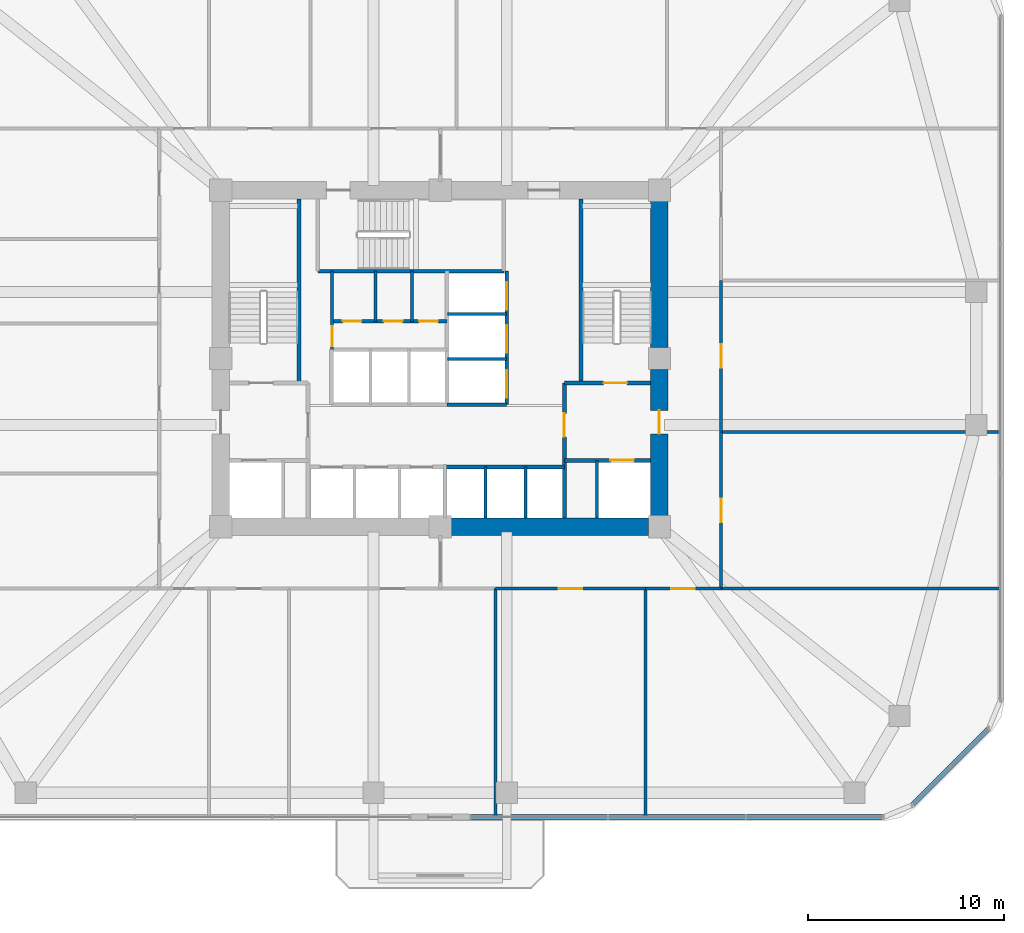
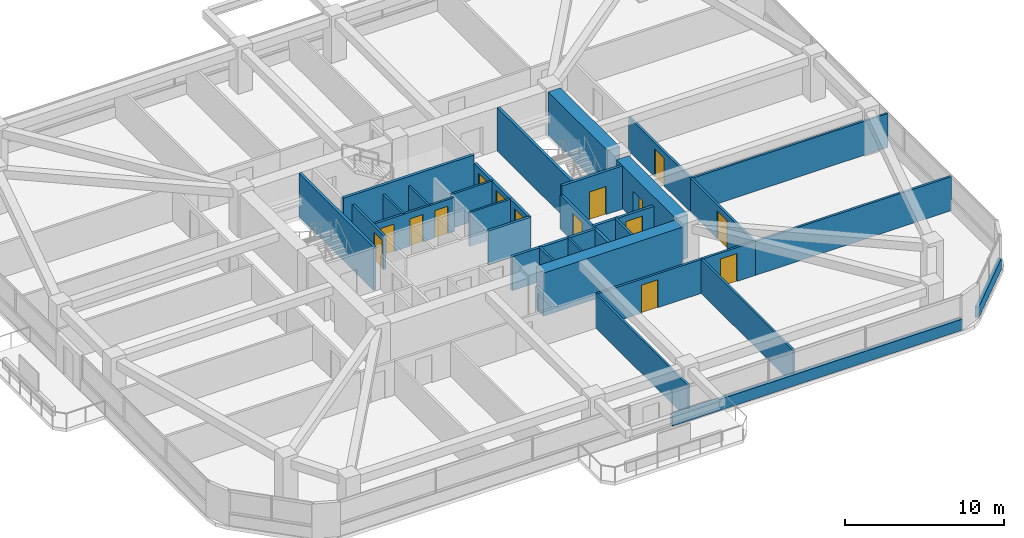
# One storey, part 10 of 13: 31 walls, 15 doors, 15 openings.
"""IFC4 building model written with IfcOpenShell, lengths in metres."""

from ifc_helpers import new_model, si_unit, derived_unit, direction, frame, frame_2d, origin, place, context, subcontext, project, spatial, rectangle, extrude, material, layer, layer_set, type_object, element, fill, save


model = new_model("IFC4")

# Units and contexts
model_context = context("Model", 3, precision=1e-05, world=origin(), true_north=direction((0.0, 1.0)))
body_context = subcontext(model_context, "Body", "Model", "MODEL_VIEW")
ifc_project = project(units=[si_unit("LENGTHUNIT", "METRE"), si_unit("AREAUNIT", "SQUARE_METRE"), si_unit("VOLUMEUNIT", "CUBIC_METRE"), si_unit("PLANEANGLEUNIT", "RADIAN"), si_unit("MASSUNIT", "GRAM", prefix="KILO"), derived_unit("THERMALTRANSMITTANCEUNIT", [(si_unit("POWERUNIT", "WATT"), 1), (si_unit("LENGTHUNIT", "METRE"), -2), (si_unit("THERMODYNAMICTEMPERATUREUNIT", "KELVIN"), -1)])], contexts=[model_context])

# Site, building, storey
site_placement = place(None, origin())
site = spatial("IfcSite", under=ifc_project, at=site_placement, CompositionType="ELEMENT")
building_placement = place(site_placement, origin())
building = spatial("IfcBuilding", under=site, at=building_placement, Name="Koralith Skygarden Medical Center", CompositionType="ELEMENT")
storey_placement = place(building_placement, frame((0.0, 0.0, 49.139892578125)))
storey = spatial("IfcBuildingStorey", under=building, at=storey_placement, Name="L12", CompositionType="ELEMENT", Elevation=49.139892578125)

# Walls
ifc_material_1 = material(Name="Gypsum Board Partition")
ifc_layer_1 = layer(ifc_material_1, 0.14990234375)
ifc_layer_set_1 = layer_set([ifc_layer_1], Name="Gypsum Board Partition")
wall_type_1 = type_object("IfcWallType", Name="Clinical Acoustic Partition 150", PredefinedType="PARTITIONING", material=ifc_layer_set_1)
for number, where, z_axis, x_axis, name in (
    (1, (33.699951171875, 27.800048828125, 0.0), (0.0, 0.0, 1.0), (0.0, 1.0, 0.0), "L12 Clinical Acoustic Partition 150 W-CORE-L12-FLEX-V2A"),
    (2, (35.56005859375, 27.800048828125, 0.0), (0.0, 0.0, 1.0), (0.0, 1.0, 0.0), "L12 Clinical Acoustic Partition 150 W-CORE-L12-FLEX-V2B"),
):
    element("IfcWall", number, at=place(storey_placement, frame(where, z_axis=z_axis, x_axis=x_axis)), inside=storey, type_object=wall_type_1, Name=name, PredefinedType="PARTITIONING", context=body_context, shape_type="SweptSolid", body=[
        extrude(rectangle(XDim=2.56005859375, YDim=0.14990234375, at=frame_2d((1.280029296875, 0.0))), origin(), (0.0, 0.0, 1.0), 2.610107421875),
    ])
for number, where, z_axis, x_axis, name in (
    (3, (39.8349609375, 14.14990234375, 0.0), (0.0, 0.0, 1.0), (0.0, -1.0, 0.0), "L12 Clinical Acoustic Partition 150 W-PART-L12-S-03"),
    (4, (47.47998046875, 14.14990234375, 0.0), (0.0, 0.0, 1.0), (0.0, -1.0, 0.0), "L12 Clinical Acoustic Partition 150 W-PART-L12-S-04"),
):
    element("IfcWall", number, at=place(storey_placement, frame(where, z_axis=z_axis, x_axis=x_axis)), inside=storey, type_object=wall_type_1, Name=name, PredefinedType="PARTITIONING", context=body_context, shape_type="SweptSolid", body=[
        extrude(rectangle(XDim=11.64990234375, YDim=0.14990234375, at=frame_2d((5.824951171875, 0.0))), origin(), (0.0, 0.0, 1.0), 2.610107421875),
    ])
wall_1_placement = place(storey_placement, frame((51.35009765625, 22.139892578125, 0.0), z_axis=(0.0, 0.0, 1.0), x_axis=(1.0, 0.0, 0.0)))
element("IfcWall", 5, at=wall_1_placement, inside=storey, type_object=wall_type_1, Name="L12 Clinical Acoustic Partition 150 W-PART-L12-E-01", PredefinedType="PARTITIONING", context=body_context, shape_type="SweptSolid", body=[
    extrude(rectangle(XDim=14.25, YDim=0.14990234375, at=frame_2d((7.125, 0.0))), origin(), (0.0, 0.0, 1.0), 2.610107421875),
])
ifc_layer_2 = layer(ifc_material_1, 0.1650390625)
ifc_layer_set_2 = layer_set([ifc_layer_2], Name="Gypsum Board Partition")
wall_type_2 = type_object("IfcWallType", Name="Clinical Corridor Partition 165", PredefinedType="PARTITIONING", material=ifc_layer_set_2)
wall_2_placement = place(storey_placement, frame((51.35009765625, 14.14990234375, 0.0), z_axis=(0.0, 0.0, 1.0), x_axis=(1.0, 0.0, 0.0)))
element("IfcWall", 6, at=wall_2_placement, inside=storey, type_object=wall_type_2, Name="L12 Clinical Corridor Partition 165 W-WB-L12-SE", PredefinedType="PARTITIONING", context=body_context, shape_type="SweptSolid", body=[
    extrude(rectangle(XDim=14.25, YDim=0.1650390625, at=frame_2d((7.125, 0.0))), origin(), (0.0, 0.0, 1.0), 2.610107421875),
])

# Wall, opening, door
wall_3_placement = place(storey_placement, frame((39.8349609375, 14.14990234375, 0.0), z_axis=(0.0, 0.0, 1.0), x_axis=(1.0, 0.0, 0.0)))
wall_3 = element("IfcWall", 7, at=wall_3_placement, inside=storey, type_object=wall_type_2, Name="L12 Clinical Corridor Partition 165 W-CORR-L12-S-04", PredefinedType="PARTITIONING", context=body_context, shape_type="SweptSolid", body=[
    extrude(rectangle(XDim=7.64501953125, YDim=0.1650390625, at=frame_2d((3.822509765625, 0.0))), origin(), (0.0, 0.0, 1.0), 2.610107421875),
])
opening_1_placement = place(wall_3_placement, frame((3.221923828125, 0.0, 0.0)))
opening_1 = element("IfcOpeningElement", 8, at=opening_1_placement, cuts=wall_3, Name="Opening D-CLN", PredefinedType="OPENING", context=body_context, shape_type="SweptSolid", body=[
    extrude(rectangle(XDim=1.199951171875, YDim=2.14990234375, at=frame_2d((0.60009765625, 1.074951171875))), frame((0.0, 0.092529296875, 0.0), z_axis=(0.0, -1.0, 0.0), x_axis=(1.0, 0.0, 0.0)), (0.0, 0.0, 1.0), 0.18505859375),
])
ifc_material_2 = material(Name="Aluminium 6063-T6", Category="aluminium")
door_type_1 = type_object("IfcDoorType", Name="Clinical Corridor Door D-CLN 1200", OperationType="NOTDEFINED", PredefinedType="DOOR", material=ifc_material_2)
door_1_placement = place(opening_1_placement, frame((1.199951171875, 0.0, 0.0), z_axis=(0.0, 0.0, 1.0), x_axis=(-1.0, 0.0, 0.0)))
door_1 = element("IfcDoor", 9, at=door_1_placement, inside=storey, type_object=door_type_1, Name="L12 Academic Faculty Office 09 Door", OperationType="SINGLE_SWING_RIGHT", OverallHeight=2.14990234375, OverallWidth=1.199951171875, PredefinedType="DOOR", context=body_context, shape_type="SweptSolid", body=[
    extrude(rectangle(XDim=1.199951171875, YDim=2.14990234375, at=frame_2d((0.60009765625, 1.074951171875))), frame((0.0, 0.02490234375, 0.0), z_axis=(0.0, -1.0, 0.0), x_axis=(1.0, 0.0, 0.0)), (0.0, 0.0, 1.0), 0.050048828125),
])
fill(opening_1, door_1)

wall_4_placement = place(storey_placement, frame((47.47998046875, 14.14990234375, 0.0), z_axis=(0.0, 0.0, 1.0), x_axis=(1.0, 0.0, 0.0)))
wall_4 = element("IfcWall", 10, at=wall_4_placement, inside=storey, type_object=wall_type_2, Name="L12 Clinical Corridor Partition 165 W-CORR-L12-S-05", PredefinedType="PARTITIONING", context=body_context, shape_type="SweptSolid", body=[
    extrude(rectangle(XDim=3.8701171875, YDim=0.1650390625, at=frame_2d((1.93505859375, 0.0))), origin(), (0.0, 0.0, 1.0), 2.610107421875),
])
opening_2_placement = place(wall_4_placement, frame((1.3349609375, 0.0, 0.0)))
opening_2 = element("IfcOpeningElement", 11, at=opening_2_placement, cuts=wall_4, Name="Opening D-CLN", PredefinedType="OPENING", context=body_context, shape_type="SweptSolid", body=[
    extrude(rectangle(XDim=1.199951171875, YDim=2.14990234375, at=frame_2d((0.60009765625, 1.074951171875))), frame((0.0, 0.092529296875, 0.0), z_axis=(0.0, -1.0, 0.0), x_axis=(1.0, 0.0, 0.0)), (0.0, 0.0, 1.0), 0.18505859375),
])
door_2_placement = place(opening_2_placement, frame((1.199951171875, 0.0, 0.0), z_axis=(0.0, 0.0, 1.0), x_axis=(-1.0, 0.0, 0.0)))
door_2 = element("IfcDoor", 12, at=door_2_placement, inside=storey, type_object=door_type_1, Name="L12 Clinical Simulation Classroom 10 Door", OperationType="SINGLE_SWING_LEFT", OverallHeight=2.14990234375, OverallWidth=1.199951171875, PredefinedType="DOOR", context=body_context, shape_type="SweptSolid", body=[
    extrude(rectangle(XDim=1.199951171875, YDim=2.14990234375, at=frame_2d((0.60009765625, 1.074951171875))), frame((0.0, 0.02490234375, 0.0), z_axis=(0.0, -1.0, 0.0), x_axis=(1.0, 0.0, 0.0)), (0.0, 0.0, 1.0), 0.050048828125),
])
fill(opening_2, door_2)

wall_5_placement = place(storey_placement, frame((51.35009765625, 14.14990234375, 0.0), z_axis=(0.0, 0.0, 1.0), x_axis=(0.0, 1.0, 0.0)))
wall_5 = element("IfcWall", 13, at=wall_5_placement, inside=storey, type_object=wall_type_2, Name="L12 Clinical Corridor Partition 165 W-CORR-L12-E-01", PredefinedType="PARTITIONING", context=body_context, shape_type="SweptSolid", body=[
    extrude(rectangle(XDim=7.989990234375, YDim=0.1650390625, at=frame_2d((3.9951171875, 0.0))), origin(), (0.0, 0.0, 1.0), 2.610107421875),
])
opening_3_placement = place(wall_5_placement, frame((3.39501953125, 0.0, 0.0)))
opening_3 = element("IfcOpeningElement", 14, at=opening_3_placement, cuts=wall_5, Name="Opening D-CLN", PredefinedType="OPENING", context=body_context, shape_type="SweptSolid", body=[
    extrude(rectangle(XDim=1.199951171875, YDim=2.14990234375, at=frame_2d((0.60009765625, 1.074951171875))), frame((0.0, 0.092529296875, 0.0), z_axis=(0.0, -1.0, 0.0), x_axis=(1.0, 0.0, 0.0)), (0.0, 0.0, 1.0), 0.18505859375),
])
door_3_placement = place(opening_3_placement, origin())
door_3 = element("IfcDoor", 15, at=door_3_placement, inside=storey, type_object=door_type_1, Name="L12 Clinical Simulation Classroom 15 Door", OperationType="SINGLE_SWING_RIGHT", OverallHeight=2.14990234375, OverallWidth=1.199951171875, PredefinedType="DOOR", context=body_context, shape_type="SweptSolid", body=[
    extrude(rectangle(XDim=1.199951171875, YDim=2.14990234375, at=frame_2d((0.60009765625, 1.074951171875))), frame((0.0, 0.02490234375, 0.0), z_axis=(0.0, -1.0, 0.0), x_axis=(1.0, 0.0, 0.0)), (0.0, 0.0, 1.0), 0.050048828125),
])
fill(opening_3, door_3)

wall_6_placement = place(storey_placement, frame((51.35009765625, 22.139892578125, 0.0), z_axis=(0.0, 0.0, 1.0), x_axis=(0.0, 1.0, 0.0)))
wall_6 = element("IfcWall", 16, at=wall_6_placement, inside=storey, type_object=wall_type_2, Name="L12 Clinical Corridor Partition 165 W-CORR-L12-E-02", PredefinedType="PARTITIONING", context=body_context, shape_type="SweptSolid", body=[
    extrude(rectangle(XDim=7.755126953125, YDim=0.1650390625, at=frame_2d((3.87744140625, 0.0))), origin(), (0.0, 0.0, 1.0), 2.610107421875),
])
opening_4_placement = place(wall_6_placement, frame((3.277099609375, 0.0, 0.0)))
opening_4 = element("IfcOpeningElement", 17, at=opening_4_placement, cuts=wall_6, Name="Opening D-CLN", PredefinedType="OPENING", context=body_context, shape_type="SweptSolid", body=[
    extrude(rectangle(XDim=1.199951171875, YDim=2.14990234375, at=frame_2d((0.60009765625, 1.074951171875))), frame((0.0, 0.092529296875, 0.0), z_axis=(0.0, -1.0, 0.0), x_axis=(1.0, 0.0, 0.0)), (0.0, 0.0, 1.0), 0.18505859375),
])
door_4_placement = place(opening_4_placement, origin())
door_4 = element("IfcDoor", 18, at=door_4_placement, inside=storey, type_object=door_type_1, Name="L12 Grand Rounds Conference Room 16 Door", OperationType="SINGLE_SWING_LEFT", OverallHeight=2.14990234375, OverallWidth=1.199951171875, PredefinedType="DOOR", context=body_context, shape_type="SweptSolid", body=[
    extrude(rectangle(XDim=1.199951171875, YDim=2.14990234375, at=frame_2d((0.60009765625, 1.074951171875))), frame((0.0, 0.02490234375, 0.0), z_axis=(0.0, -1.0, 0.0), x_axis=(1.0, 0.0, 0.0)), (0.0, 0.0, 1.0), 0.050048828125),
])
fill(opening_4, door_4)

ifc_layer_3 = layer(ifc_material_1, 0.199951171875)
ifc_layer_set_3 = layer_set([ifc_layer_3], Name="Gypsum Board Partition")
wall_type_3 = type_object("IfcWallType", Name="Fire Shaft Wall 200", PredefinedType="SOLIDWALL", material=ifc_layer_set_3)
wall_7_placement = place(storey_placement, frame((43.35009765625, 20.699951171875, 0.0), z_axis=(0.0, 0.0, 1.0), x_axis=(1.0, 0.0, 0.0)))
wall_7 = element("IfcWall", 19, at=wall_7_placement, inside=storey, type_object=wall_type_3, Name="L12 Fire Shaft Wall 200 W-CORE-L12-FF2-N", PredefinedType="SOLIDWALL", context=body_context, shape_type="SweptSolid", body=[
    extrude(rectangle(XDim=4.39990234375, YDim=0.199951171875, at=frame_2d((2.199951171875, 0.0))), origin(), (0.0, 0.0, 1.0), 2.610107421875),
])
opening_5_placement = place(wall_7_placement, frame((2.35009765625, 0.0, 0.0)))
opening_5 = element("IfcOpeningElement", 20, at=opening_5_placement, cuts=wall_7, Name="Opening LD-FF", PredefinedType="OPENING", context=body_context, shape_type="SweptSolid", body=[
    extrude(rectangle(XDim=1.199951171875, YDim=2.14990234375, at=frame_2d((0.60009765625, 1.074951171875))), frame((0.0, 0.10986328125, 0.0), z_axis=(0.0, -1.0, 0.0), x_axis=(1.0, 0.0, 0.0)), (0.0, 0.0, 1.0), 0.219970703125),
])
ifc_material_3 = material(Name="Steel ASTM A500 Grade C", Category="steel")
door_type_2 = type_object("IfcDoorType", Name="Fire Lift Sliding Landing Door LD-FF 1200", OperationType="NOTDEFINED", PredefinedType="DOOR", material=ifc_material_3)
door_5_placement = place(opening_5_placement, origin())
door_5 = element("IfcDoor", 21, at=door_5_placement, inside=storey, type_object=door_type_2, Name="L12 Fire Service Elevator FF2 Landing Door", OperationType="SLIDING_TO_RIGHT", OverallHeight=2.14990234375, OverallWidth=1.199951171875, PredefinedType="DOOR", context=body_context, shape_type="SweptSolid", body=[
    extrude(rectangle(XDim=1.199951171875, YDim=2.14990234375, at=frame_2d((0.60009765625, 1.074951171875))), frame((0.0, 0.02490234375, 0.0), z_axis=(0.0, -1.0, 0.0), x_axis=(1.0, 0.0, 0.0)), (0.0, 0.0, 1.0), 0.050048828125),
])
fill(opening_5, door_5)

wall_8_placement = place(storey_placement, frame((43.35009765625, 17.75, 0.0), z_axis=(0.0, 0.0, 1.0), x_axis=(0.0, 1.0, 0.0)))
wall_8 = element("IfcWall", 22, at=wall_8_placement, inside=storey, type_object=wall_type_3, Name="L12 Fire Shaft Wall 200 W-CORE-L12-FSAEE-W", PredefinedType="SOLIDWALL", context=body_context, shape_type="SweptSolid", body=[
    extrude(rectangle(XDim=6.89990234375, YDim=0.199951171875, at=frame_2d((3.449951171875, 0.0))), origin(), (0.0, 0.0, 1.0), 2.610107421875),
])
opening_6_placement = place(wall_8_placement, frame((4.14990234375, 0.0, 0.0)))
opening_6 = element("IfcOpeningElement", 23, at=opening_6_placement, cuts=wall_8, Name="Opening D-ST60", PredefinedType="OPENING", context=body_context, shape_type="SweptSolid", body=[
    extrude(rectangle(XDim=1.199951171875, YDim=2.14990234375, at=frame_2d((0.60009765625, 1.074951171875))), frame((0.0, 0.10986328125, 0.0), z_axis=(0.0, -1.0, 0.0), x_axis=(1.0, 0.0, 0.0)), (0.0, 0.0, 1.0), 0.219970703125),
])
door_type_3 = type_object("IfcDoorType", Name="Smokeproof Stair Fire Door FD60S 1200", OperationType="NOTDEFINED", PredefinedType="DOOR", material=ifc_material_3)
door_6_placement = place(opening_6_placement, frame((1.199951171875, 0.0, 0.0), z_axis=(0.0, 0.0, 1.0), x_axis=(-1.0, 0.0, 0.0)))
door_6 = element("IfcDoor", 24, at=door_6_placement, inside=storey, type_object=door_type_3, Name="L12 East Firefighting Lobby Inner Fire Door", OperationType="SINGLE_SWING_RIGHT", OverallHeight=2.14990234375, OverallWidth=1.199951171875, PredefinedType="DOOR", context=body_context, shape_type="SweptSolid", body=[
    extrude(rectangle(XDim=1.199951171875, YDim=2.14990234375, at=frame_2d((0.60009765625, 1.074951171875))), frame((0.0, 0.02490234375, 0.0), z_axis=(0.0, -1.0, 0.0), x_axis=(1.0, 0.0, 0.0)), (0.0, 0.0, 1.0), 0.050048828125),
])
fill(opening_6, door_6)

# Walls
wall_9_placement = place(storey_placement, frame((37.25, 20.360107421875, 0.0), z_axis=(0.0, 0.0, 1.0), x_axis=(1.0, 0.0, 0.0)))
element("IfcWall", 25, at=wall_9_placement, inside=storey, type_object=wall_type_3, Name="L12 Fire Shaft Wall 200 W-CORE-L12-PM-N", PredefinedType="SOLIDWALL", context=body_context, shape_type="SweptSolid", body=[
    extrude(rectangle(XDim=6.10009765625, YDim=0.199951171875, at=frame_2d((3.050048828125, 0.0))), origin(), (0.0, 0.0, 1.0), 2.610107421875),
])
wall_10_placement = place(storey_placement, frame((37.35009765625, 23.5400390625, 0.0), z_axis=(0.0, 0.0, 1.0), x_axis=(1.0, 0.0, 0.0)))
element("IfcWall", 26, at=wall_10_placement, inside=storey, type_object=wall_type_3, Name="L12 Fire Shaft Wall 200 W-CORE-L12-SV-S", PredefinedType="SOLIDWALL", context=body_context, shape_type="SweptSolid", body=[
    extrude(rectangle(XDim=3.0498046875, YDim=0.199951171875, at=frame_2d((1.52490234375, 0.0))), origin(), (0.0, 0.0, 1.0), 2.610107421875),
])

# Wall, openings, doors
wall_11_placement = place(storey_placement, frame((40.39990234375, 23.5400390625, 0.0), z_axis=(0.0, 0.0, 1.0), x_axis=(0.0, 1.0, 0.0)))
wall_11 = element("IfcWall", 27, at=wall_11_placement, inside=storey, type_object=wall_type_3, Name="L12 Fire Shaft Wall 200 W-CORE-L12-SV-E", PredefinedType="SOLIDWALL", context=body_context, shape_type="SweptSolid", body=[
    extrude(rectangle(XDim=6.820068359375, YDim=0.199951171875, at=frame_2d((3.41015625, 0.0))), origin(), (0.0, 0.0, 1.0), 2.610107421875),
])
opening_7_placement = place(wall_11_placement, frame((0.35009765625, 0.0, 0.0)))
opening_7 = element("IfcOpeningElement", 28, at=opening_7_placement, cuts=wall_11, Name="Opening LD-SV", PredefinedType="OPENING", context=body_context, shape_type="SweptSolid", body=[
    extrude(rectangle(XDim=1.39990234375, YDim=2.199951171875, at=frame_2d((0.699951171875, 1.10009765625))), frame((0.0, 0.10986328125, 0.0), z_axis=(0.0, -1.0, 0.0), x_axis=(1.0, 0.0, 0.0)), (0.0, 0.0, 1.0), 0.219970703125),
])
opening_8_placement = place(wall_11_placement, frame((2.64990234375, 0.0, 0.0)))
opening_8 = element("IfcOpeningElement", 29, at=opening_8_placement, cuts=wall_11, Name="Opening LD-SV", PredefinedType="OPENING", context=body_context, shape_type="SweptSolid", body=[
    extrude(rectangle(XDim=1.39990234375, YDim=2.199951171875, at=frame_2d((0.699951171875, 1.10009765625))), frame((0.0, 0.10986328125, 0.0), z_axis=(0.0, -1.0, 0.0), x_axis=(1.0, 0.0, 0.0)), (0.0, 0.0, 1.0), 0.219970703125),
])
opening_9_placement = place(wall_11_placement, frame((4.85009765625, 0.0, 0.0)))
opening_9 = element("IfcOpeningElement", 30, at=opening_9_placement, cuts=wall_11, Name="Opening LD-SV", PredefinedType="OPENING", context=body_context, shape_type="SweptSolid", body=[
    extrude(rectangle(XDim=1.39990234375, YDim=2.199951171875, at=frame_2d((0.699951171875, 1.10009765625))), frame((0.0, 0.10986328125, 0.0), z_axis=(0.0, -1.0, 0.0), x_axis=(1.0, 0.0, 0.0)), (0.0, 0.0, 1.0), 0.219970703125),
])
door_type_4 = type_object("IfcDoorType", Name="Bed Lift Sliding Landing Door LD-SV 1400", OperationType="NOTDEFINED", PredefinedType="DOOR", material=ifc_material_3)
door_7_placement = place(opening_7_placement, origin())
door_7 = element("IfcDoor", 31, at=door_7_placement, inside=storey, type_object=door_type_4, Name="L12 Bed Elevator BD1 Landing Door", OperationType="SLIDING_TO_LEFT", OverallHeight=2.199951171875, OverallWidth=1.39990234375, PredefinedType="DOOR", context=body_context, shape_type="SweptSolid", body=[
    extrude(rectangle(XDim=1.39990234375, YDim=2.199951171875, at=frame_2d((0.699951171875, 1.10009765625))), frame((0.0, 0.02490234375, 0.0), z_axis=(0.0, -1.0, 0.0), x_axis=(1.0, 0.0, 0.0)), (0.0, 0.0, 1.0), 0.050048828125),
])
fill(opening_7, door_7)
door_8_placement = place(opening_8_placement, origin())
door_8 = element("IfcDoor", 32, at=door_8_placement, inside=storey, type_object=door_type_4, Name="L12 Service Elevator BD2 Landing Door", OperationType="SLIDING_TO_LEFT", OverallHeight=2.199951171875, OverallWidth=1.39990234375, PredefinedType="DOOR", context=body_context, shape_type="SweptSolid", body=[
    extrude(rectangle(XDim=1.39990234375, YDim=2.199951171875, at=frame_2d((0.699951171875, 1.10009765625))), frame((0.0, 0.02490234375, 0.0), z_axis=(0.0, -1.0, 0.0), x_axis=(1.0, 0.0, 0.0)), (0.0, 0.0, 1.0), 0.050048828125),
])
fill(opening_8, door_8)
door_9_placement = place(opening_9_placement, origin())
door_9 = element("IfcDoor", 33, at=door_9_placement, inside=storey, type_object=door_type_4, Name="L12 Trauma Elevator TR1 Landing Door", OperationType="SLIDING_TO_RIGHT", OverallHeight=2.199951171875, OverallWidth=1.39990234375, PredefinedType="DOOR", context=body_context, shape_type="SweptSolid", body=[
    extrude(rectangle(XDim=1.39990234375, YDim=2.199951171875, at=frame_2d((0.699951171875, 1.10009765625))), frame((0.0, 0.02490234375, 0.0), z_axis=(0.0, -1.0, 0.0), x_axis=(1.0, 0.0, 0.0)), (0.0, 0.0, 1.0), 0.050048828125),
])
fill(opening_9, door_9)

# Walls
ifc_material_4 = material(Name="Warm Oolitic Limestone Cladding", Category="masonry")
ifc_layer_4 = layer(ifc_material_4, 0.239990234375)
ifc_layer_set_4 = layer_set([ifc_layer_4], Name="Warm Oolitic Limestone Cladding")
wall_type_4 = type_object("IfcWallType", Name="Limestone Spandrel Sill Backup Wall 240", PredefinedType="SOLIDWALL", material=ifc_layer_set_4)
wall_12_placement = place(storey_placement, frame((38.5400390625, 2.47998046875, 0.0), z_axis=(0.0, 0.0, 1.0), x_axis=(1.0, 0.0, 0.0)))
element("IfcWall", 34, at=wall_12_placement, inside=storey, type_object=wall_type_4, Name="L12 Sill Spandrel S-R", PredefinedType="SOLIDWALL", context=body_context, shape_type="SweptSolid", body=[
    extrude(rectangle(XDim=21.10498046875, YDim=0.239990234375, at=frame_2d((10.552490234375, 0.0))), origin(), (0.0, 0.0, 1.0), 0.85009765625),
])
wall_13_placement = place(storey_placement, frame((61.095947265625, 3.0810546875, 0.0), z_axis=(0.0, 0.0, 1.0), x_axis=(0.707128783731, 0.707084777957, 0.0)))
element("IfcWall", 35, at=wall_13_placement, inside=storey, type_object=wall_type_4, Name="L12 Sill Spandrel SE", PredefinedType="SOLIDWALL", context=body_context, shape_type="SweptSolid", body=[
    extrude(rectangle(XDim=5.5478515625, YDim=0.239990234375, at=frame_2d((2.77392578125, 0.0))), origin(), (0.0, 0.0, 1.0), 0.85009765625),
])
ifc_material_5 = material(Name="Concrete C70/85", Category="concrete")
ifc_layer_5 = layer(ifc_material_5, 0.89990234375)
ifc_layer_set_5 = layer_set([ifc_layer_5], Name="Concrete C70/85")
wall_type_5 = type_object("IfcWallType", Name="Lower Core Shear Wall 900", PredefinedType="SHEAR", material=ifc_layer_set_5)
wall_14_placement = place(storey_placement, frame((37.56494140625, 17.300048828125, 0.0), z_axis=(0.0, 0.0, 1.0), x_axis=(1.0, 0.0, 0.0)))
element("IfcWall", 36, at=wall_14_placement, inside=storey, type_object=wall_type_5, Name="L12 Core Shear Wall Segment 2", PredefinedType="SHEAR", context=body_context, shape_type="SweptSolid", body=[
    extrude(rectangle(XDim=10.070068359375, YDim=0.89990234375, at=frame_2d((5.03515625, 0.0))), origin(), (0.0, 0.0, 1.0), 3.320068359375),
])

# Wall, opening, door
wall_15_placement = place(storey_placement, frame((48.199951171875, 17.864990234375, 0.0), z_axis=(0.0, 0.0, 1.0), x_axis=(0.0, 1.0, 0.0)))
wall_15 = element("IfcWall", 37, at=wall_15_placement, inside=storey, type_object=wall_type_5, Name="L12 Core Shear Wall Segment 3", PredefinedType="SHEAR", context=body_context, shape_type="SweptSolid", body=[
    extrude(rectangle(XDim=7.469970703125, YDim=0.89990234375, at=frame_2d((3.73486328125, 0.0))), origin(), (0.0, 0.0, 1.0), 3.320068359375),
])
opening_10_placement = place(wall_15_placement, frame((4.18505859375, 0.0, 0.0)))
opening_10 = element("IfcOpeningElement", 38, at=opening_10_placement, cuts=wall_15, Name="Opening D-ST60", PredefinedType="OPENING", context=body_context, shape_type="SweptSolid", body=[
    extrude(rectangle(XDim=1.199951171875, YDim=2.14990234375, at=frame_2d((0.60009765625, 1.074951171875))), frame((0.0, 0.4599609375, 0.0), z_axis=(0.0, -1.0, 0.0), x_axis=(1.0, 0.0, 0.0)), (0.0, 0.0, 1.0), 0.919921875),
])
door_10_placement = place(opening_10_placement, frame((1.199951171875, 0.0, 0.0), z_axis=(0.0, 0.0, 1.0), x_axis=(-1.0, 0.0, 0.0)))
door_10 = element("IfcDoor", 39, at=door_10_placement, inside=storey, type_object=door_type_3, Name="L12 East Corridor to Firefighting Lobby Door", OperationType="SINGLE_SWING_RIGHT", OverallHeight=2.14990234375, OverallWidth=1.199951171875, PredefinedType="DOOR", context=body_context, shape_type="SweptSolid", body=[
    extrude(rectangle(XDim=1.199951171875, YDim=2.14990234375, at=frame_2d((0.60009765625, 1.074951171875))), frame((0.0, 0.02490234375, 0.0), z_axis=(0.0, -1.0, 0.0), x_axis=(1.0, 0.0, 0.0)), (0.0, 0.0, 1.0), 0.050048828125),
])
fill(opening_10, door_10)

# Wall
wall_16_placement = place(storey_placement, frame((48.199951171875, 26.465087890625, 0.0), z_axis=(0.0, 0.0, 1.0), x_axis=(0.0, 1.0, 0.0)))
element("IfcWall", 40, at=wall_16_placement, inside=storey, type_object=wall_type_5, Name="L12 Core Shear Wall Segment 4", PredefinedType="SHEAR", context=body_context, shape_type="SweptSolid", body=[
    extrude(rectangle(XDim=7.469970703125, YDim=0.89990234375, at=frame_2d((3.73486328125, 0.0))), origin(), (0.0, 0.0, 1.0), 3.320068359375),
])

# Wall, opening, door
ifc_layer_6 = layer(ifc_material_1, 0.1650390625)
ifc_layer_set_6 = layer_set([ifc_layer_6], Name="Gypsum Board Partition")
wall_type_6 = type_object("IfcWallType", Name="Plumbing Wet Wall 165", PredefinedType="PLUMBINGWALL", material=ifc_layer_set_6)
wall_17_placement = place(storey_placement, frame((31.47998046875, 26.320068359375, 0.0), z_axis=(0.0, 0.0, 1.0), x_axis=(0.0, 1.0, 0.0)))
wall_17 = element("IfcWall", 41, at=wall_17_placement, inside=storey, type_object=wall_type_6, Name="L12 Plumbing Wet Wall 165 W-CORE-L12-FLEX-W", PredefinedType="PLUMBINGWALL", context=body_context, shape_type="SweptSolid", body=[
    extrude(rectangle(XDim=4.0400390625, YDim=0.1650390625, at=frame_2d((2.02001953125, 0.0))), origin(), (0.0, 0.0, 1.0), 2.610107421875),
])
opening_11_placement = place(wall_17_placement, frame((0.219970703125, 0.0, 0.0)))
opening_11 = element("IfcOpeningElement", 42, at=opening_11_placement, cuts=wall_17, Name="Opening D-SUP", PredefinedType="OPENING", context=body_context, shape_type="SweptSolid", body=[
    extrude(rectangle(XDim=1.0, YDim=2.14990234375, at=frame_2d((0.5, 1.074951171875))), frame((0.0, 0.092529296875, 0.0), z_axis=(0.0, -1.0, 0.0), x_axis=(1.0, 0.0, 0.0)), (0.0, 0.0, 1.0), 0.18505859375),
])
door_type_5 = type_object("IfcDoorType", Name="Clinical Support Door D-SUP 1000", OperationType="NOTDEFINED", PredefinedType="DOOR", material=ifc_material_2)
door_11_placement = place(opening_11_placement, frame((1.0, 0.0, 0.0), z_axis=(0.0, 0.0, 1.0), x_axis=(-1.0, 0.0, 0.0)))
door_11 = element("IfcDoor", 43, at=door_11_placement, inside=storey, type_object=door_type_5, Name="L12 Core Service Alcove Door", OperationType="SINGLE_SWING_LEFT", OverallHeight=2.14990234375, OverallWidth=1.0, PredefinedType="DOOR", context=body_context, shape_type="SweptSolid", body=[
    extrude(rectangle(XDim=1.0, YDim=2.14990234375, at=frame_2d((0.5, 1.074951171875))), frame((0.0, 0.02490234375, 0.0), z_axis=(0.0, -1.0, 0.0), x_axis=(1.0, 0.0, 0.0)), (0.0, 0.0, 1.0), 0.050048828125),
])
fill(opening_11, door_11)

# Wall, openings, doors
wall_18_placement = place(storey_placement, frame((31.47998046875, 27.800048828125, 0.0), z_axis=(0.0, 0.0, 1.0), x_axis=(1.0, 0.0, 0.0)))
wall_18 = element("IfcWall", 44, at=wall_18_placement, inside=storey, type_object=wall_type_6, Name="L12 Plumbing Wet Wall 165 W-CORE-L12-FLEX-H2", PredefinedType="PLUMBINGWALL", context=body_context, shape_type="SweptSolid", body=[
    extrude(rectangle(XDim=5.8701171875, YDim=0.1650390625, at=frame_2d((2.93505859375, 0.0))), origin(), (0.0, 0.0, 1.0), 2.610107421875),
])
opening_12_placement = place(wall_18_placement, frame((0.550048828125, 0.0, 0.0)))
opening_12 = element("IfcOpeningElement", 45, at=opening_12_placement, cuts=wall_18, Name="Opening D-WC", PredefinedType="OPENING", context=body_context, shape_type="SweptSolid", body=[
    extrude(rectangle(XDim=0.949951171875, YDim=2.10009765625, at=frame_2d((0.47509765625, 1.050048828125))), frame((0.0, 0.092529296875, 0.0), z_axis=(0.0, -1.0, 0.0), x_axis=(1.0, 0.0, 0.0)), (0.0, 0.0, 1.0), 0.18505859375),
])
opening_13_placement = place(wall_18_placement, frame((2.64990234375, 0.0, 0.0)))
opening_13 = element("IfcOpeningElement", 46, at=opening_13_placement, cuts=wall_18, Name="Opening D-WC", PredefinedType="OPENING", context=body_context, shape_type="SweptSolid", body=[
    extrude(rectangle(XDim=0.949951171875, YDim=2.10009765625, at=frame_2d((0.47509765625, 1.050048828125))), frame((0.0, 0.092529296875, 0.0), z_axis=(0.0, -1.0, 0.0), x_axis=(1.0, 0.0, 0.0)), (0.0, 0.0, 1.0), 0.18505859375),
])
opening_14_placement = place(wall_18_placement, frame((4.449951171875, 0.0, 0.0)))
opening_14 = element("IfcOpeningElement", 47, at=opening_14_placement, cuts=wall_18, Name="Opening D-WC", PredefinedType="OPENING", context=body_context, shape_type="SweptSolid", body=[
    extrude(rectangle(XDim=0.949951171875, YDim=2.10009765625, at=frame_2d((0.47509765625, 1.050048828125))), frame((0.0, 0.092529296875, 0.0), z_axis=(0.0, -1.0, 0.0), x_axis=(1.0, 0.0, 0.0)), (0.0, 0.0, 1.0), 0.18505859375),
])
door_type_6 = type_object("IfcDoorType", Name="Accessible Toilet Door D-WC 950", OperationType="NOTDEFINED", PredefinedType="DOOR", material=ifc_material_2)
door_12_placement = place(opening_12_placement, origin())
door_12 = element("IfcDoor", 48, at=door_12_placement, inside=storey, type_object=door_type_6, Name="L12 Core Accessible WC Door", OperationType="SINGLE_SWING_LEFT", OverallHeight=2.10009765625, OverallWidth=0.949951171875, PredefinedType="DOOR", context=body_context, shape_type="SweptSolid", body=[
    extrude(rectangle(XDim=0.949951171875, YDim=2.10009765625, at=frame_2d((0.47509765625, 1.050048828125))), frame((0.0, 0.02490234375, 0.0), z_axis=(0.0, -1.0, 0.0), x_axis=(1.0, 0.0, 0.0)), (0.0, 0.0, 1.0), 0.050048828125),
])
fill(opening_12, door_12)
door_13_placement = place(opening_13_placement, origin())
door_13 = element("IfcDoor", 49, at=door_13_placement, inside=storey, type_object=door_type_6, Name="L12 Soiled Sluice Door", OperationType="SINGLE_SWING_LEFT", OverallHeight=2.10009765625, OverallWidth=0.949951171875, PredefinedType="DOOR", context=body_context, shape_type="SweptSolid", body=[
    extrude(rectangle(XDim=0.949951171875, YDim=2.10009765625, at=frame_2d((0.47509765625, 1.050048828125))), frame((0.0, 0.02490234375, 0.0), z_axis=(0.0, -1.0, 0.0), x_axis=(1.0, 0.0, 0.0)), (0.0, 0.0, 1.0), 0.050048828125),
])
fill(opening_13, door_13)
door_14_placement = place(opening_14_placement, origin())
door_14 = element("IfcDoor", 50, at=door_14_placement, inside=storey, type_object=door_type_6, Name="L12 Clean Linen Store Door", OperationType="SINGLE_SWING_RIGHT", OverallHeight=2.10009765625, OverallWidth=0.949951171875, PredefinedType="DOOR", context=body_context, shape_type="SweptSolid", body=[
    extrude(rectangle(XDim=0.949951171875, YDim=2.10009765625, at=frame_2d((0.47509765625, 1.050048828125))), frame((0.0, 0.02490234375, 0.0), z_axis=(0.0, -1.0, 0.0), x_axis=(1.0, 0.0, 0.0)), (0.0, 0.0, 1.0), 0.050048828125),
])
fill(opening_14, door_14)

# Walls
ifc_layer_7 = layer(ifc_material_1, 0.14990234375)
ifc_layer_set_7 = layer_set([ifc_layer_7], Name="Gypsum Board Partition")
wall_type_7 = type_object("IfcWallType", Name="Shaft Partition Wall 150", PredefinedType="PARTITIONING", material=ifc_layer_set_7)
wall_19_placement = place(storey_placement, frame((45.02001953125, 17.75, 0.0), z_axis=(0.0, 0.0, 1.0), x_axis=(0.0, 1.0, 0.0)))
element("IfcWall", 51, at=wall_19_placement, inside=storey, type_object=wall_type_7, Name="L12 Shaft Partition Wall 150 W-CORE-L12-RSRE-DIV", PredefinedType="PARTITIONING", context=body_context, shape_type="SweptSolid", body=[
    extrude(rectangle(XDim=2.949951171875, YDim=0.14990234375, at=frame_2d((1.47509765625, 0.0))), origin(), (0.0, 0.0, 1.0), 2.610107421875),
])
for number, where, z_axis, x_axis, name in (
    (52, (39.320068359375, 17.75, 0.0), (0.0, 0.0, 1.0), (0.0, 1.0, 0.0), "L12 Shaft Partition Wall 150 W-CORE-L12-PM-D1"),
    (53, (41.3701171875, 17.75, 0.0), (0.0, 0.0, 1.0), (0.0, 1.0, 0.0), "L12 Shaft Partition Wall 150 W-CORE-L12-PM-D2"),
):
    element("IfcWall", number, at=place(storey_placement, frame(where, z_axis=z_axis, x_axis=x_axis)), inside=storey, type_object=wall_type_7, Name=name, PredefinedType="PARTITIONING", context=body_context, shape_type="SweptSolid", body=[
        extrude(rectangle(XDim=2.610107421875, YDim=0.14990234375, at=frame_2d((1.30517578125, 0.0))), origin(), (0.0, 0.0, 1.0), 2.610107421875),
    ])
for number, where, z_axis, x_axis, name in (
    (54, (37.3701171875, 25.8701171875, 0.0), (0.0, 0.0, 1.0), (1.0, 0.0, 0.0), "L12 Shaft Partition Wall 150 W-CORE-L12-SV-D1"),
    (55, (37.3701171875, 28.169921875, 0.0), (0.0, 0.0, 1.0), (1.0, 0.0, 0.0), "L12 Shaft Partition Wall 150 W-CORE-L12-SV-D2"),
):
    element("IfcWall", number, at=place(storey_placement, frame(where, z_axis=z_axis, x_axis=x_axis)), inside=storey, type_object=wall_type_7, Name=name, PredefinedType="PARTITIONING", context=body_context, shape_type="SweptSolid", body=[
        extrude(rectangle(XDim=3.009765625, YDim=0.14990234375, at=frame_2d((1.5048828125, 0.0))), origin(), (0.0, 0.0, 1.0), 2.610107421875),
    ])
ifc_material_6 = material(Name="Concrete C45/55", Category="concrete")
ifc_layer_8 = layer(ifc_material_6, 0.199951171875)
ifc_layer_set_8 = layer_set([ifc_layer_8], Name="Concrete C45/55")
wall_type_8 = type_object("IfcWallType", Name="Structural Stair Shaft Wall 200", PredefinedType="SHEAR", material=ifc_layer_set_8)
for number, where, z_axis, x_axis, name in (
    (56, (29.800048828125, 24.64990234375, 0.0), (0.0, 0.0, 1.0), (0.0, 1.0, 0.0), "L12 Structural Stair Shaft Wall 200 W-CORE-L12-ST1-E"),
    (57, (44.199951171875, 24.64990234375, 0.0), (0.0, 0.0, 1.0), (0.0, 1.0, 0.0), "L12 Structural Stair Shaft Wall 200 W-CORE-L12-ST2-W"),
):
    element("IfcWall", number, at=place(storey_placement, frame(where, z_axis=z_axis, x_axis=x_axis)), inside=storey, type_object=wall_type_8, Name=name, PredefinedType="SHEAR", context=body_context, shape_type="SweptSolid", body=[
        extrude(rectangle(XDim=9.400146484375, YDim=0.199951171875, at=frame_2d((4.7001953125, 0.0))), origin(), (0.0, 0.0, 1.0), 3.320068359375),
    ])

# Wall, opening, door
wall_20_placement = place(storey_placement, frame((43.35009765625, 24.64990234375, 0.0), z_axis=(0.0, 0.0, 1.0), x_axis=(1.0, 0.0, 0.0)))
wall_20 = element("IfcWall", 58, at=wall_20_placement, inside=storey, type_object=wall_type_8, Name="L12 Structural Stair Shaft Wall 200 W-CORE-L12-ST2-S", PredefinedType="SHEAR", context=body_context, shape_type="SweptSolid", body=[
    extrude(rectangle(XDim=4.39990234375, YDim=0.199951171875, at=frame_2d((2.199951171875, 0.0))), origin(), (0.0, 0.0, 1.0), 3.320068359375),
])
opening_15_placement = place(wall_20_placement, frame((2.0, 0.0, 0.0)))
opening_15 = element("IfcOpeningElement", 59, at=opening_15_placement, cuts=wall_20, Name="Opening D-ST60", PredefinedType="OPENING", context=body_context, shape_type="SweptSolid", body=[
    extrude(rectangle(XDim=1.199951171875, YDim=2.14990234375, at=frame_2d((0.60009765625, 1.074951171875))), frame((0.0, 0.10986328125, 0.0), z_axis=(0.0, -1.0, 0.0), x_axis=(1.0, 0.0, 0.0)), (0.0, 0.0, 1.0), 0.219970703125),
])
door_15_placement = place(opening_15_placement, origin())
door_15 = element("IfcDoor", 60, at=door_15_placement, inside=storey, type_object=door_type_3, Name="L12 Exit Stair ST2 Fire Door", OperationType="SINGLE_SWING_RIGHT", OverallHeight=2.14990234375, OverallWidth=1.199951171875, PredefinedType="DOOR", context=body_context, shape_type="SweptSolid", body=[
    extrude(rectangle(XDim=1.199951171875, YDim=2.14990234375, at=frame_2d((0.60009765625, 1.074951171875))), frame((0.0, 0.02490234375, 0.0), z_axis=(0.0, -1.0, 0.0), x_axis=(1.0, 0.0, 0.0)), (0.0, 0.0, 1.0), 0.050048828125),
])
fill(opening_15, door_15)

# Wall
wall_21_placement = place(storey_placement, frame((30.75, 30.360107421875, 0.0), z_axis=(0.0, 0.0, 1.0), x_axis=(1.0, 0.0, 0.0)))
element("IfcWall", 61, at=wall_21_placement, inside=storey, type_object=wall_type_8, Name="L12 Structural Stair Shaft Wall 200 W-CORE-L12-ST3-S", PredefinedType="SHEAR", context=body_context, shape_type="SweptSolid", body=[
    extrude(rectangle(XDim=9.5, YDim=0.199951171875, at=frame_2d((4.75, 0.0))), origin(), (0.0, 0.0, 1.0), 3.320068359375),
])

save(model, "model.ifc")
